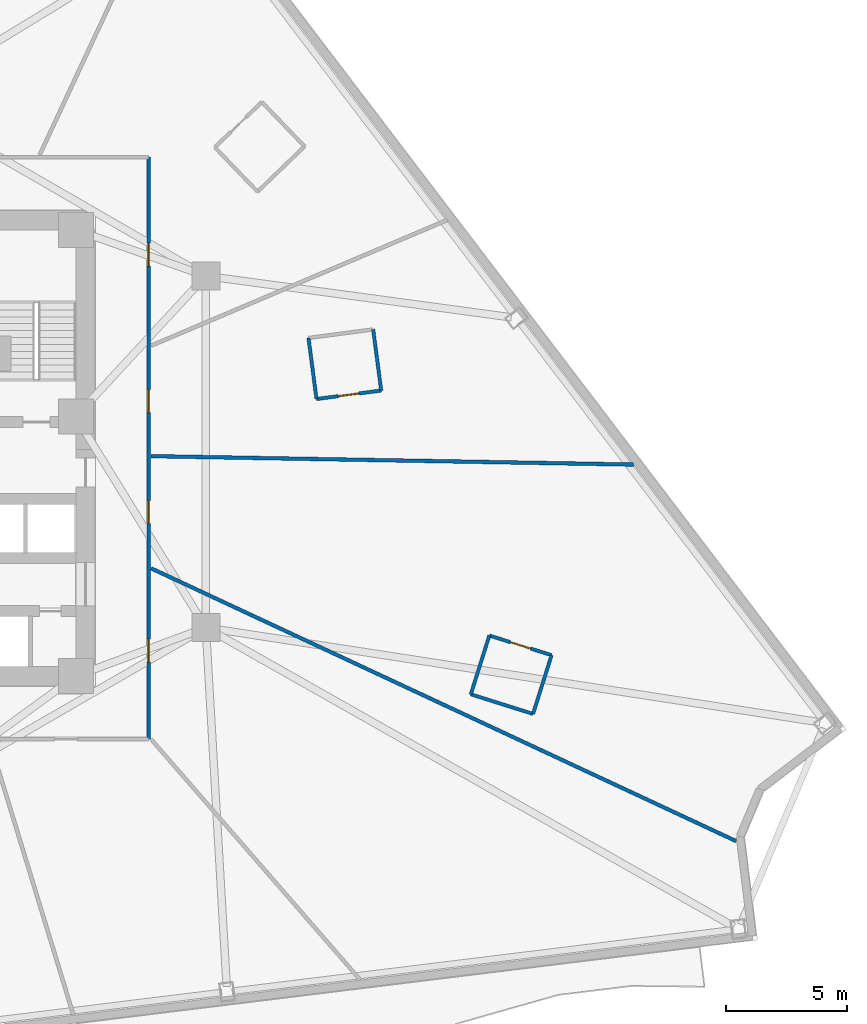
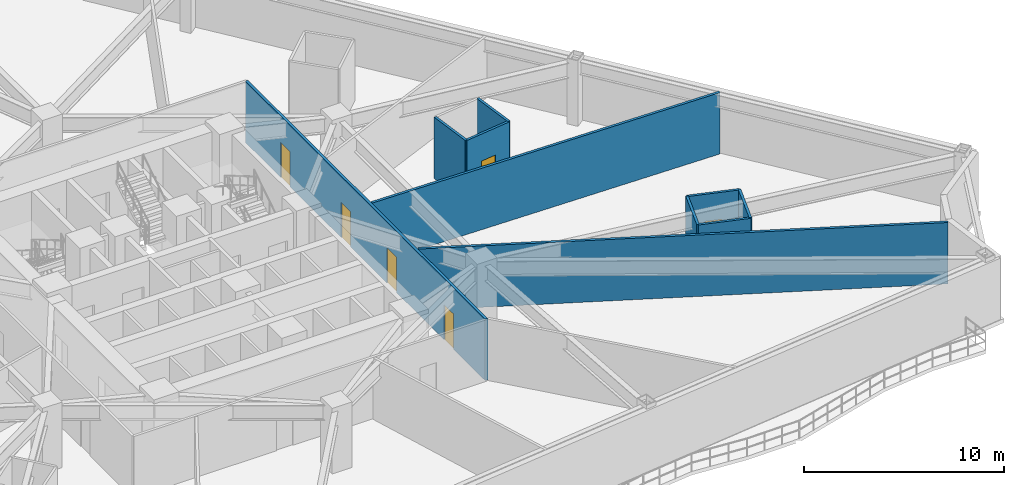
# One storey, part 5 of 12: 10 walls, 6 doors, 6 openings.
"""IFC4 building model written with IfcOpenShell, lengths in metres."""

from ifc_helpers import new_model, si_unit, direction, frame, frame_2d, origin, place, context, subcontext, project, spatial, rectangle, extrude, material, layer, layer_set, type_object, element, fill, save


model = new_model("IFC4")

# Units and contexts
model_context = context("Model", 3, precision=1e-05, world=origin(), true_north=direction((0.0, 1.0)))
body_context = subcontext(model_context, "Body", "Model", "MODEL_VIEW")
ifc_project = project(units=[si_unit("LENGTHUNIT", "METRE"), si_unit("AREAUNIT", "SQUARE_METRE"), si_unit("VOLUMEUNIT", "CUBIC_METRE"), si_unit("PLANEANGLEUNIT", "RADIAN"), si_unit("MASSUNIT", "GRAM", prefix="KILO")], contexts=[model_context])

# Site, building, storey
site_placement = place(None, origin())
site = spatial("IfcSite", under=ifc_project, at=site_placement, CompositionType="ELEMENT")
building_placement = place(site_placement, origin())
building = spatial("IfcBuilding", under=site, at=building_placement, Name="Apsidion Concourse Tower", CompositionType="ELEMENT")
storey_placement = place(building_placement, frame((0.0, 0.0, 71.0)))
storey = spatial("IfcBuildingStorey", under=building, at=storey_placement, Name="L15", CompositionType="ELEMENT", Elevation=71.0)

# Walls
ifc_material_1 = material(Name="Gypsum plasterboard partition")
ifc_layer_1 = layer(ifc_material_1, 0.139892578125)
ifc_layer_set_1 = layer_set([ifc_layer_1], Name="Gypsum plasterboard partition")
wall_type_1 = type_object("IfcWallType", Name="WL-INT-PAR-140", PredefinedType="PARTITIONING", material=ifc_layer_set_1)
wall_1_placement = place(storey_placement, frame((23.487548828125, -10.0, 0.0), z_axis=(0.0, 0.0, 1.0), x_axis=(0.953721106849, -0.300692617719, 0.0)))
element("IfcWall", 1, at=wall_1_placement, inside=storey, type_object=wall_type_1, Name="L15 Interior Partition WL-L15-POD-ENS04-S1", PredefinedType="PARTITIONING", context=body_context, shape_type="SweptSolid", body=[
    extrude(rectangle(XDim=2.68994140625, YDim=0.139892578125, at=frame_2d((1.344970703125, 0.0))), origin(), (0.0, 0.0, 1.0), 3.75),
])
wall_2_placement = place(storey_placement, frame((26.052978515625, -10.808837890625, 0.0), z_axis=(0.0, 0.0, 1.0), x_axis=(0.300731161572, 0.953708953748, 0.0)))
element("IfcWall", 2, at=wall_2_placement, inside=storey, type_object=wall_type_1, Name="L15 Interior Partition WL-L15-POD-ENS04-S2", PredefinedType="PARTITIONING", context=body_context, shape_type="SweptSolid", body=[
    extrude(rectangle(XDim=2.540283203125, YDim=0.139892578125, at=frame_2d((1.27001953125, 0.0))), origin(), (0.0, 0.0, 1.0), 3.75),
])

# Wall, opening, door
wall_3_placement = place(storey_placement, frame((26.81689453125, -8.38623046875, 0.0), z_axis=(0.0, 0.0, 1.0), x_axis=(-0.953721106849, 0.300692617719, 0.0)))
wall_3 = element("IfcWall", 3, at=wall_3_placement, inside=storey, type_object=wall_type_1, Name="L15 Interior Partition WL-L15-POD-ENS04-S3", PredefinedType="PARTITIONING", context=body_context, shape_type="SweptSolid", body=[
    extrude(rectangle(XDim=2.68994140625, YDim=0.139892578125, at=frame_2d((1.344970703125, 0.0))), origin(), (0.0, 0.0, 1.0), 3.75),
])
opening_1_placement = place(wall_3_placement, frame((0.905029296875, 0.0, 0.0)))
opening_1 = element("IfcOpeningElement", 4, at=opening_1_placement, cuts=wall_3, Name="Opening D-03L", PredefinedType="OPENING", context=body_context, shape_type="SweptSolid", body=[
    extrude(rectangle(XDim=0.8798828125, YDim=2.10009765625, at=frame_2d((0.43994140625, 1.050048828125))), frame((0.0, 0.080078125, 0.0), z_axis=(0.0, -1.0, 0.0), x_axis=(1.0, 0.0, 0.0)), (0.0, 0.0, 1.0), 0.159912109375),
])
ifc_material_2 = material(Name="Anodised aluminium EN AW-6063 T6", Category="aluminium")
door_type_1 = type_object("IfcDoorType", Name="DR-INT-D03L", OperationType="SINGLE_SWING_LEFT", PredefinedType="DOOR", material=ifc_material_2)
door_1_placement = place(opening_1_placement, origin())
door_1 = element("IfcDoor", 5, at=door_1_placement, inside=storey, type_object=door_type_1, Name="L15 Guest En-Suite Bathroom Door ENS04", OperationType="SINGLE_SWING_LEFT", OverallHeight=2.10009765625, OverallWidth=0.8798828125, PredefinedType="DOOR", context=body_context, shape_type="SweptSolid", body=[
    extrude(rectangle(XDim=0.8798828125, YDim=2.10009765625, at=frame_2d((0.43994140625, 1.050048828125))), frame((0.0, 0.02490234375, 0.0), z_axis=(0.0, -1.0, 0.0), x_axis=(1.0, 0.0, 0.0)), (0.0, 0.0, 1.0), 0.050048828125),
])
fill(opening_1, door_1)

# Wall
wall_4_placement = place(storey_placement, frame((24.25146484375, -7.577392578125, 0.0), z_axis=(0.0, 0.0, 1.0), x_axis=(-0.300731161572, -0.953708953748, 0.0)))
element("IfcWall", 6, at=wall_4_placement, inside=storey, type_object=wall_type_1, Name="L15 Interior Partition WL-L15-POD-ENS04-S4", PredefinedType="PARTITIONING", context=body_context, shape_type="SweptSolid", body=[
    extrude(rectangle(XDim=2.540283203125, YDim=0.139892578125, at=frame_2d((1.27001953125, 0.0))), origin(), (0.0, 0.0, 1.0), 3.75),
])

# Wall, opening, door
wall_5_placement = place(storey_placement, frame((17.125244140625, 2.17529296875, 0.0), z_axis=(0.0, 0.0, 1.0), x_axis=(0.991446880033, 0.130510858064, 0.0)))
wall_5 = element("IfcWall", 7, at=wall_5_placement, inside=storey, type_object=wall_type_1, Name="L15 Interior Partition WL-L15-POD-ENS05-S1", PredefinedType="PARTITIONING", context=body_context, shape_type="SweptSolid", body=[
    extrude(rectangle(XDim=2.68994140625, YDim=0.139892578125, at=frame_2d((1.344970703125, 0.0))), origin(), (0.0, 0.0, 1.0), 3.75),
])
opening_2_placement = place(wall_5_placement, frame((0.905029296875, 0.0, 0.0)))
opening_2 = element("IfcOpeningElement", 8, at=opening_2_placement, cuts=wall_5, Name="Opening D-03R", PredefinedType="OPENING", context=body_context, shape_type="SweptSolid", body=[
    extrude(rectangle(XDim=0.8798828125, YDim=2.10009765625, at=frame_2d((0.43994140625, 1.050048828125))), frame((0.0, 0.080078125, 0.0), z_axis=(0.0, -1.0, 0.0), x_axis=(1.0, 0.0, 0.0)), (0.0, 0.0, 1.0), 0.159912109375),
])
door_type_2 = type_object("IfcDoorType", Name="DR-INT-D03R", OperationType="SINGLE_SWING_RIGHT", PredefinedType="DOOR", material=ifc_material_2)
door_2_placement = place(opening_2_placement, origin())
door_2 = element("IfcDoor", 9, at=door_2_placement, inside=storey, type_object=door_type_2, Name="L15 Guest En-Suite Bathroom Door ENS05", OperationType="SINGLE_SWING_RIGHT", OverallHeight=2.10009765625, OverallWidth=0.8798828125, PredefinedType="DOOR", context=body_context, shape_type="SweptSolid", body=[
    extrude(rectangle(XDim=0.8798828125, YDim=2.10009765625, at=frame_2d((0.43994140625, 1.050048828125))), frame((0.0, 0.02490234375, 0.0), z_axis=(0.0, -1.0, 0.0), x_axis=(1.0, 0.0, 0.0)), (0.0, 0.0, 1.0), 0.050048828125),
])
fill(opening_2, door_2)

# Walls
for number, where, z_axis, x_axis, name in (
    (10, (19.792236328125, 2.5263671875, 0.0), (0.0, 0.0, 1.0), (-0.130526616185, 0.991444805558, 0.0), "L15 Interior Partition WL-L15-POD-ENS05-S2"),
    (11, (16.793701171875, 4.693603515625, 0.0), (0.0, 0.0, 1.0), (0.130526616185, -0.991444805558, 0.0), "L15 Interior Partition WL-L15-POD-ENS05-S4"),
):
    element("IfcWall", number, at=place(storey_placement, frame(where, z_axis=z_axis, x_axis=x_axis)), inside=storey, type_object=wall_type_1, Name=name, PredefinedType="PARTITIONING", context=body_context, shape_type="SweptSolid", body=[
        extrude(rectangle(XDim=2.5400390625, YDim=0.139892578125, at=frame_2d((1.27001953125, 0.0))), origin(), (0.0, 0.0, 1.0), 3.75),
    ])

# Wall, openings, doors
ifc_layer_2 = layer(ifc_material_1, 0.14990234375)
ifc_layer_set_2 = layer_set([ifc_layer_2], Name="Gypsum plasterboard partition")
wall_type_2 = type_object("IfcWallType", Name="WL-INT-PAR-150", PredefinedType="PARTITIONING", material=ifc_layer_set_2)
wall_6_placement = place(storey_placement, frame((10.199951171875, 12.14990234375, 0.0), z_axis=(0.0, 0.0, 1.0), x_axis=(0.0, -1.0, 0.0)))
wall_6 = element("IfcWall", 12, at=wall_6_placement, inside=storey, type_object=wall_type_2, Name="L15 Interior Partition WL-L15-CORR-02", PredefinedType="PARTITIONING", context=body_context, shape_type="SweptSolid", body=[
    extrude(rectangle(XDim=24.0, YDim=0.14990234375, at=frame_2d((12.0, 0.0))), origin(), (0.0, 0.0, 1.0), 3.75),
])
opening_3_placement = place(wall_6_placement, frame((19.87451171875, 0.0, 0.0)))
opening_3 = element("IfcOpeningElement", 13, at=opening_3_placement, cuts=wall_6, Name="Opening D-01R", PredefinedType="OPENING", context=body_context, shape_type="SweptSolid", body=[
    extrude(rectangle(XDim=0.949951171875, YDim=2.14990234375, at=frame_2d((0.47509765625, 1.074951171875))), frame((0.0, 0.0849609375, 0.0), z_axis=(0.0, -1.0, 0.0), x_axis=(1.0, 0.0, 0.0)), (0.0, 0.0, 1.0), 0.169921875),
])
opening_4_placement = place(wall_6_placement, frame((14.16259765625, 0.0, 0.0)))
opening_4 = element("IfcOpeningElement", 14, at=opening_4_placement, cuts=wall_6, Name="Opening D-01L", PredefinedType="OPENING", context=body_context, shape_type="SweptSolid", body=[
    extrude(rectangle(XDim=0.949951171875, YDim=2.14990234375, at=frame_2d((0.47509765625, 1.074951171875))), frame((0.0, 0.0849609375, 0.0), z_axis=(0.0, -1.0, 0.0), x_axis=(1.0, 0.0, 0.0)), (0.0, 0.0, 1.0), 0.169921875),
])
opening_5_placement = place(wall_6_placement, frame((9.58349609375, 0.0, 0.0)))
opening_5 = element("IfcOpeningElement", 15, at=opening_5_placement, cuts=wall_6, Name="Opening D-01R", PredefinedType="OPENING", context=body_context, shape_type="SweptSolid", body=[
    extrude(rectangle(XDim=0.949951171875, YDim=2.14990234375, at=frame_2d((0.47509765625, 1.074951171875))), frame((0.0, 0.0849609375, 0.0), z_axis=(0.0, -1.0, 0.0), x_axis=(1.0, 0.0, 0.0)), (0.0, 0.0, 1.0), 0.169921875),
])
opening_6_placement = place(wall_6_placement, frame((3.54248046875, 0.0, 0.0)))
opening_6 = element("IfcOpeningElement", 16, at=opening_6_placement, cuts=wall_6, Name="Opening D-01L", PredefinedType="OPENING", context=body_context, shape_type="SweptSolid", body=[
    extrude(rectangle(XDim=0.949951171875, YDim=2.14990234375, at=frame_2d((0.47509765625, 1.074951171875))), frame((0.0, 0.0849609375, 0.0), z_axis=(0.0, -1.0, 0.0), x_axis=(1.0, 0.0, 0.0)), (0.0, 0.0, 1.0), 0.169921875),
])
ifc_material_3 = material(Name="Brushed stainless steel 316", Category="steel")
door_type_3 = type_object("IfcDoorType", Name="DR-INT-D01L", OperationType="SINGLE_SWING_LEFT", PredefinedType="DOOR", material=ifc_material_3)
door_3_placement = place(opening_4_placement, origin())
door_3 = element("IfcDoor", 17, at=door_3_placement, inside=storey, type_object=door_type_3, Name="L15 Corridor Entry Door 05", OperationType="SINGLE_SWING_LEFT", OverallHeight=2.14990234375, OverallWidth=0.949951171875, PredefinedType="DOOR", context=body_context, shape_type="SweptSolid", body=[
    extrude(rectangle(XDim=0.949951171875, YDim=2.14990234375, at=frame_2d((0.47509765625, 1.074951171875))), frame((0.0, 0.02490234375, 0.0), z_axis=(0.0, -1.0, 0.0), x_axis=(1.0, 0.0, 0.0)), (0.0, 0.0, 1.0), 0.050048828125),
])
fill(opening_4, door_3)
door_4_placement = place(opening_6_placement, origin())
door_4 = element("IfcDoor", 18, at=door_4_placement, inside=storey, type_object=door_type_3, Name="L15 Corridor Entry Door 07", OperationType="SINGLE_SWING_LEFT", OverallHeight=2.14990234375, OverallWidth=0.949951171875, PredefinedType="DOOR", context=body_context, shape_type="SweptSolid", body=[
    extrude(rectangle(XDim=0.949951171875, YDim=2.14990234375, at=frame_2d((0.47509765625, 1.074951171875))), frame((0.0, 0.02490234375, 0.0), z_axis=(0.0, -1.0, 0.0), x_axis=(1.0, 0.0, 0.0)), (0.0, 0.0, 1.0), 0.050048828125),
])
fill(opening_6, door_4)
door_type_4 = type_object("IfcDoorType", Name="DR-INT-D01R", OperationType="SINGLE_SWING_RIGHT", PredefinedType="DOOR", material=ifc_material_3)
door_5_placement = place(opening_3_placement, origin())
door_5 = element("IfcDoor", 19, at=door_5_placement, inside=storey, type_object=door_type_4, Name="L15 Corridor Entry Door 04", OperationType="SINGLE_SWING_RIGHT", OverallHeight=2.14990234375, OverallWidth=0.949951171875, PredefinedType="DOOR", context=body_context, shape_type="SweptSolid", body=[
    extrude(rectangle(XDim=0.949951171875, YDim=2.14990234375, at=frame_2d((0.47509765625, 1.074951171875))), frame((0.0, 0.02490234375, 0.0), z_axis=(0.0, -1.0, 0.0), x_axis=(1.0, 0.0, 0.0)), (0.0, 0.0, 1.0), 0.050048828125),
])
fill(opening_3, door_5)
door_6_placement = place(opening_5_placement, origin())
door_6 = element("IfcDoor", 20, at=door_6_placement, inside=storey, type_object=door_type_4, Name="L15 Corridor Entry Door 06", OperationType="SINGLE_SWING_RIGHT", OverallHeight=2.14990234375, OverallWidth=0.949951171875, PredefinedType="DOOR", context=body_context, shape_type="SweptSolid", body=[
    extrude(rectangle(XDim=0.949951171875, YDim=2.14990234375, at=frame_2d((0.47509765625, 1.074951171875))), frame((0.0, 0.02490234375, 0.0), z_axis=(0.0, -1.0, 0.0), x_axis=(1.0, 0.0, 0.0)), (0.0, 0.0, 1.0), 0.050048828125),
])
fill(opening_5, door_6)

# Walls
wall_7_placement = place(storey_placement, frame((10.304931640625, -4.805419921875, 0.0), z_axis=(0.0, 0.0, 1.0), x_axis=(0.906311005283, -0.42261136012, 0.0)))
element("IfcWall", 21, at=wall_7_placement, inside=storey, type_object=wall_type_2, Name="L15 Interior Partition WL-L15-RAD-09-1", PredefinedType="PARTITIONING", context=body_context, shape_type="SweptSolid", body=[
    extrude(rectangle(XDim=26.624755859375, YDim=0.14990234375, at=frame_2d((13.3125, 0.0))), origin(), (0.0, 0.0, 1.0), 3.75),
])
wall_8_placement = place(storey_placement, frame((10.304931640625, -0.179931640625, 0.0), z_axis=(0.0, 0.0, 1.0), x_axis=(0.99984764159, -0.017455474959, 0.0)))
element("IfcWall", 22, at=wall_8_placement, inside=storey, type_object=wall_type_2, Name="L15 Interior Partition WL-L15-RAD-10-1", PredefinedType="PARTITIONING", context=body_context, shape_type="SweptSolid", body=[
    extrude(rectangle(XDim=19.888671875, YDim=0.14990234375, at=frame_2d((9.9443359375, 0.0))), origin(), (0.0, 0.0, 1.0), 3.75),
])

save(model, "model.ifc")
